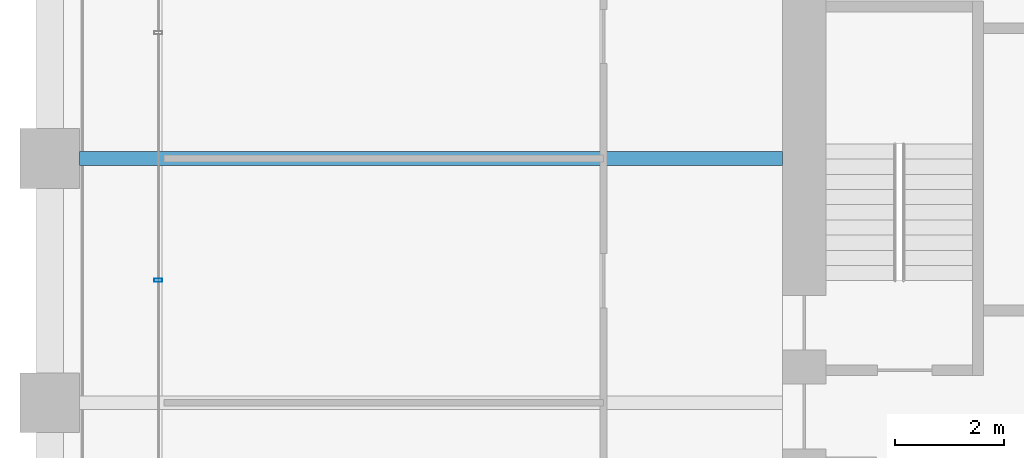
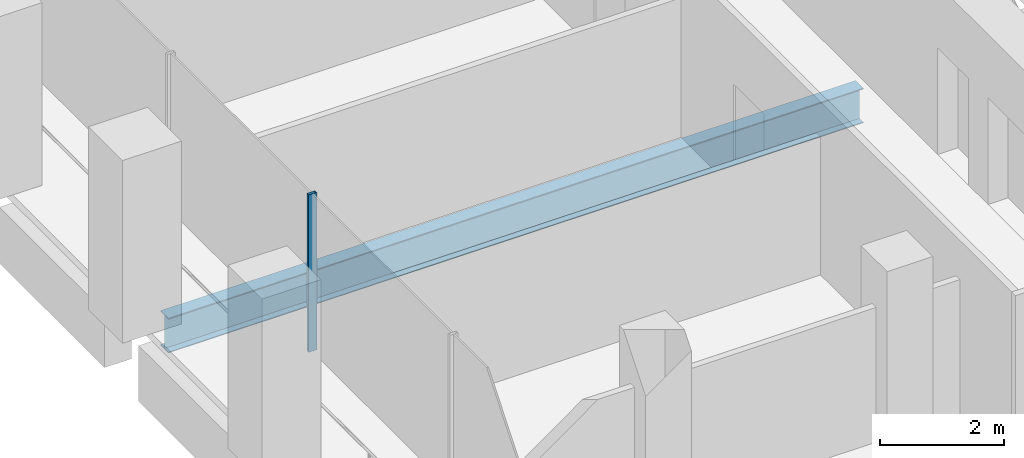
# One storey, part 11 of 56: 1 beam, 1 member, 1 element without a shape of its own.
"""IFC4 building model written with IfcOpenShell, lengths in metres."""

from ifc_helpers import new_model, si_unit, direction, frame, origin, origin_2d, place, context, subcontext, project, spatial, hollow_rectangle, i_section, extrude, material, material_profile, profile_set, type_object, element, aggregate, save


model = new_model("IFC4")

# Units and contexts
model_context = context("Model", 3, precision=1e-05, world=origin(), true_north=direction((0.0, 1.0)))
body_context = subcontext(model_context, "Body", "Model", "MODEL_VIEW")
ifc_project = project(units=[si_unit("LENGTHUNIT", "METRE"), si_unit("AREAUNIT", "SQUARE_METRE"), si_unit("VOLUMEUNIT", "CUBIC_METRE"), si_unit("PLANEANGLEUNIT", "RADIAN"), si_unit("MASSUNIT", "GRAM", prefix="KILO")], contexts=[model_context])

# Site, building, storey
site_placement = place(None, origin())
site = spatial("IfcSite", under=ifc_project, at=site_placement, CompositionType="ELEMENT")
building_placement = place(site_placement, origin())
building = spatial("IfcBuilding", under=site, at=building_placement, Name="Altepetl Exchange Towers", CompositionType="ELEMENT")
storey_placement = place(building_placement, frame((0.0, 0.0, 76.199951171875)))
storey = spatial("IfcBuildingStorey", under=building, at=storey_placement, Name="L18", CompositionType="ELEMENT", Elevation=76.199951171875)

# Beam
ifc_material_1 = material(Name="Steel S355", Category="steel")
ifc_material_profile_1 = material_profile(ifc_material_1, i_section(OverallWidth=0.25390625, OverallDepth=0.68408203125, WebThickness=0.012451171875, FlangeThickness=0.018798828125, at=origin_2d()), Name="W27X94")
ifc_profile_set_1 = profile_set([ifc_material_profile_1], Name="Steel S355")
beam_type = type_object("IfcBeamType", Name="Floor beam W27X94", PredefinedType="BEAM", material=ifc_profile_set_1)
beam_placement = place(storey_placement, frame((27.550048828125, 49.5, -0.491943359375), z_axis=(1.0, 0.0, 0.0), x_axis=(0.0, 1.0, 0.0)))
element("IfcBeam", 1, at=beam_placement, inside=storey, type_object=beam_type, Name="bm:A:L18:019", PredefinedType="BEAM", context=body_context, shape_type="SweptSolid", body=[
    extrude(i_section(OverallWidth=0.25390625, OverallDepth=0.68408203125, WebThickness=0.012451171875, FlangeThickness=0.018798828125, at=origin_2d()), origin(), (0.0, 0.0, 1.0), 12.949951171875),
])

# Curtain wall, member
ifc_material_2 = material(Name="Aluminium 6063-T6 glazing", Category="aluminium")
curtain_wall_type = type_object("IfcCurtainWallType", Name="Loggia glazing system", PredefinedType="NOTDEFINED", material=ifc_material_2)
curtain_wall_placement = place(storey_placement, origin())
curtain_wall = element("IfcCurtainWall", 2, at=curtain_wall_placement, inside=storey, type_object=curtain_wall_type, Name="CW1 run", PredefinedType="NOTDEFINED")
ifc_material_3 = material(Name="Aluminium 6063-T6", Category="aluminium")
ifc_material_profile_2 = material_profile(ifc_material_3, hollow_rectangle(XDim=0.06005859375, YDim=0.14990234375, WallThickness=0.0029296875, at=origin_2d()), Name="Mullion 60x150 aluminium")
ifc_profile_set_2 = profile_set([ifc_material_profile_2], Name="Aluminium 6063-T6")
member_type = type_object("IfcMemberType", Name="Mullion 60x150 aluminium", PredefinedType="MULLION", material=ifc_profile_set_2)
member_placement = place(storey_placement, frame((29.0, 47.257080078125, 0.0), z_axis=(0.0, 0.0, 1.0), x_axis=(0.0, -1.0, 0.0)))
member = element("IfcMember", 3, at=member_placement, type_object=member_type, Name="MU1 mullion", PredefinedType="MULLION", context=body_context, shape_type="SweptSolid", body=[
    extrude(hollow_rectangle(XDim=0.06005859375, YDim=0.14990234375, WallThickness=0.0029296875, at=origin_2d()), origin(), (0.0, 0.0, 1.0), 3.10009765625),
])
aggregate(curtain_wall, [member])

save(model, "model.ifc")
